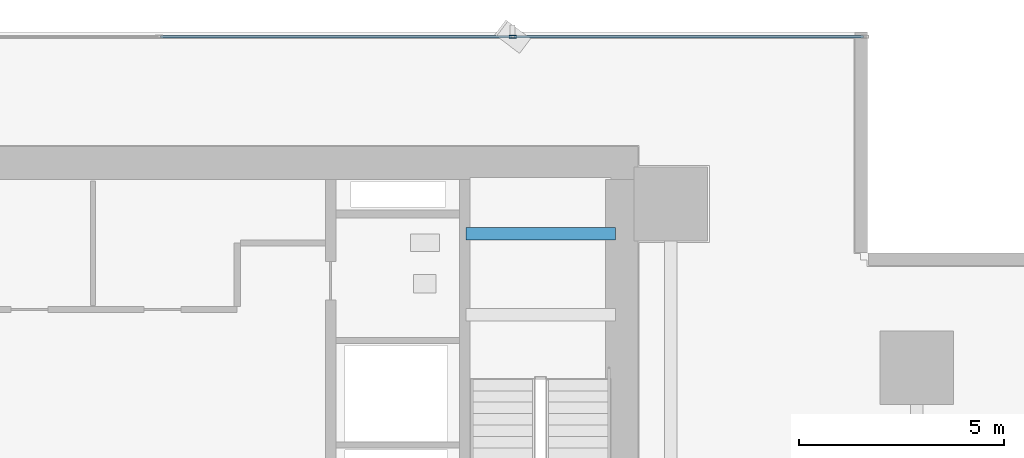
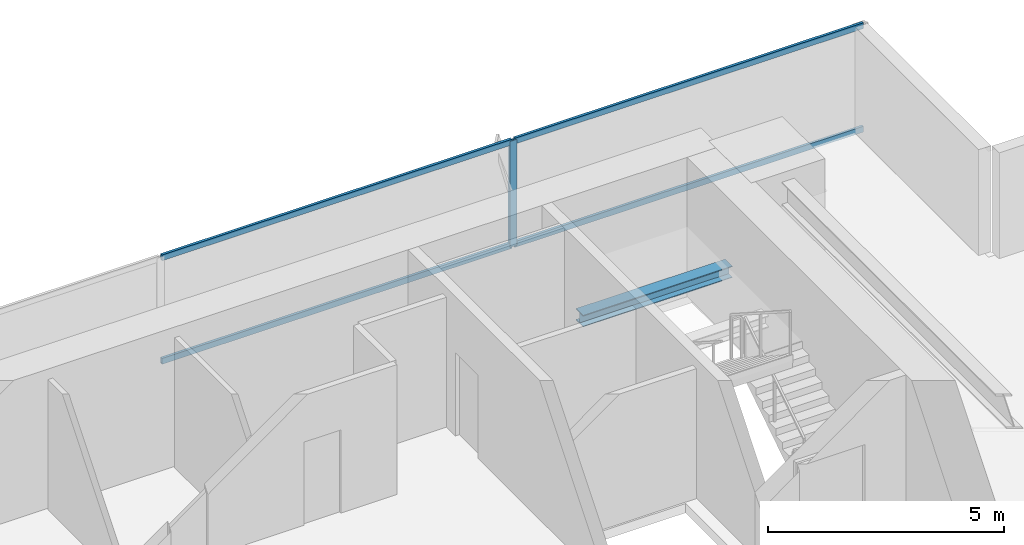
# One storey, part 22 of 33: 5 members, 1 beam, 1 element without a shape of its own.
"""IFC4 building model written with IfcOpenShell, lengths in metres."""

from ifc_helpers import new_model, si_unit, direction, frame, origin, origin_2d, place, context, subcontext, project, spatial, hollow_rectangle, i_section, extrude, source, transform, mapped, material, layer, layer_set, material_profile, profile_set, type_object, element, aggregate, save


model = new_model("IFC4")

# Units and contexts
model_context = context("Model", 3, precision=1e-05, world=origin(), true_north=direction((0.0, 1.0)))
body_context = subcontext(model_context, "Body", "Model", "MODEL_VIEW")
ifc_project = project(units=[si_unit("LENGTHUNIT", "METRE"), si_unit("AREAUNIT", "SQUARE_METRE"), si_unit("VOLUMEUNIT", "CUBIC_METRE"), si_unit("PLANEANGLEUNIT", "RADIAN"), si_unit("MASSUNIT", "GRAM", prefix="KILO")], contexts=[model_context])

# Site, building, storey
site_placement = place(None, origin())
site = spatial("IfcSite", under=ifc_project, at=site_placement, CompositionType="ELEMENT")
building_placement = place(site_placement, origin())
building = spatial("IfcBuilding", under=site, at=building_placement, Name="Sumidabori Civic Tower", CompositionType="ELEMENT")
storey_placement = place(building_placement, frame((0.0, 0.0, 59.60009765625)))
storey = spatial("IfcBuildingStorey", under=building, at=storey_placement, Name="L15", CompositionType="ELEMENT", Elevation=59.60009765625)

# Beam
ifc_material_1 = material(Name="Steel SN490", Category="steel")
ifc_material_profile_1 = material_profile(ifc_material_1, i_section(OverallWidth=0.300048828125, OverallDepth=0.300048828125, WebThickness=0.010986328125, FlangeThickness=0.01904296875, at=origin_2d()), Name="HE 300 B")
ifc_profile_set_1 = profile_set([ifc_material_profile_1], Name="Steel SN490")
beam_type = type_object("IfcBeamType", Name="BM-LDG-300", PredefinedType="BEAM", material=ifc_profile_set_1)
shared_shape_1 = source(origin(), body_context, "Body", "SweptSolid", [
    extrude(i_section(OverallWidth=0.300048828125, OverallDepth=0.300048828125, WebThickness=0.010986328125, FlangeThickness=0.01904296875, at=origin_2d()), origin(), (0.0, 0.0, 1.0), 3.64990234375),
])
beam_placement = place(storey_placement, frame((11.800048828125, 22.069580078125, 1.449951171875), z_axis=(1.0, 0.0, 0.0), x_axis=(0.0, 1.0, 0.0)))
element("IfcBeam", 1, at=beam_placement, inside=storey, type_object=beam_type, Name="Stair ST-2 Landing Trimmer Beam L15-1B", PredefinedType="BEAM", context=body_context, shape_type="MappedRepresentation", body=[
    mapped(shared_shape_1, transform((0.0, 0.0, 0.0), x_axis=(1.0, 0.0, 0.0), y_axis=(0.0, 1.0, 0.0), z_axis=(0.0, 0.0, 1.0), scale=1.0)),
])

# Curtain wall, members
ifc_material_2 = material(Name="Anodised Bronze Aluminium AW-6063-T6", Category="aluminium")
ifc_layer = layer(ifc_material_2, 0.179931640625, Name="Anodised Bronze Aluminium AW-6063-T6")
ifc_layer_set = layer_set([ifc_layer], Name="Anodised Bronze Aluminium AW-6063-T6")
curtain_wall_type = type_object("IfcCurtainWallType", Name="CW-SYS-2", PredefinedType="NOTDEFINED", material=ifc_layer_set)
curtain_wall_placement = place(storey_placement, origin())
curtain_wall = element("IfcCurtainWall", 2, at=curtain_wall_placement, inside=storey, type_object=curtain_wall_type, Name="Curtain Wall CW:L15:R07", PredefinedType="NOTDEFINED")
ifc_material_profile_2 = material_profile(ifc_material_2, hollow_rectangle(XDim=0.070068359375, YDim=0.179931640625, WallThickness=0.006103515625, at=origin_2d()), Name="ALU MULLION 180x70")
ifc_profile_set_2 = profile_set([ifc_material_profile_2], Name="Anodised Bronze Aluminium AW-6063-T6")
member_type_1 = type_object("IfcMemberType", Name="CW-MUL-180", PredefinedType="MULLION", material=ifc_profile_set_2)
shared_shape_2 = source(origin(), body_context, "Body", "SweptSolid", [
    extrude(hollow_rectangle(XDim=0.070068359375, YDim=0.179931640625, WallThickness=0.006103515625, at=origin_2d()), origin(), (0.0, 0.0, 1.0), 2.739990234375),
])
member_1_placement = place(storey_placement, frame((12.94189453125, 26.8798828125, 0.0), z_axis=(0.0, 0.0, 1.0), x_axis=(0.0, -1.0, 0.0)))
member_1 = element("IfcMember", 3, at=member_1_placement, type_object=member_type_1, Name="CW-2 mullion 2", PredefinedType="MULLION", context=body_context, shape_type="MappedRepresentation", body=[
    mapped(shared_shape_2, transform((0.0, 0.0, 0.0), x_axis=(1.0, 0.0, 0.0), y_axis=(0.0, 1.0, 0.0), z_axis=(0.0, 0.0, 1.0), scale=1.0)),
])
ifc_material_profile_3 = material_profile(ifc_material_2, hollow_rectangle(XDim=0.06494140625, YDim=0.14990234375, WallThickness=0.0048828125, at=origin_2d()), Name="ALU TRANSOM 150x65")
ifc_profile_set_3 = profile_set([ifc_material_profile_3], Name="Anodised Bronze Aluminium AW-6063-T6")
member_type_2 = type_object("IfcMemberType", Name="CW-TRN-150", PredefinedType="USERDEFINED", material=ifc_profile_set_3)
shared_shape_3 = source(origin(), body_context, "Body", "SweptSolid", [
    extrude(hollow_rectangle(XDim=0.06494140625, YDim=0.14990234375, WallThickness=0.0048828125, at=origin_2d()), origin(), (0.0, 0.0, 1.0), 8.52294921875),
])
member_2_placement = place(storey_placement, frame((21.5, 26.8798828125, 0.032470703125), z_axis=(-1.0, 0.0, 0.0), x_axis=(0.0, -1.0, 0.0)))
member_2 = element("IfcMember", 4, at=member_2_placement, type_object=member_type_2, Name="CW-2 transom 1.1", ObjectType="TRANSOM", PredefinedType="USERDEFINED", context=body_context, shape_type="MappedRepresentation", body=[
    mapped(shared_shape_3, transform((0.0, 0.0, 0.0), x_axis=(1.0, 0.0, 0.0), y_axis=(0.0, 1.0, 0.0), z_axis=(0.0, 0.0, 1.0), scale=1.0)),
])
member_3_placement = place(storey_placement, frame((21.5, 26.8798828125, 2.70751953125), z_axis=(-1.0, 0.0, 0.0), x_axis=(0.0, -1.0, 0.0)))
member_3 = element("IfcMember", 5, at=member_3_placement, type_object=member_type_2, Name="CW-2 transom 1.2", ObjectType="TRANSOM", PredefinedType="USERDEFINED", context=body_context, shape_type="MappedRepresentation", body=[
    mapped(shared_shape_3, transform((0.0, 0.0, 0.0), x_axis=(1.0, 0.0, 0.0), y_axis=(0.0, 1.0, 0.0), z_axis=(0.0, 0.0, 1.0), scale=1.0)),
])
shared_shape_4 = source(origin(), body_context, "Body", "SweptSolid", [
    extrude(hollow_rectangle(XDim=0.06494140625, YDim=0.14990234375, WallThickness=0.0048828125, at=origin_2d()), origin(), (0.0, 0.0, 1.0), 8.557861328125),
])
member_4_placement = place(storey_placement, frame((12.906982421875, 26.8798828125, 0.032470703125), z_axis=(-1.0, 0.0, 0.0), x_axis=(0.0, -1.0, 0.0)))
member_4 = element("IfcMember", 6, at=member_4_placement, type_object=member_type_2, Name="CW-2 transom 2.1", ObjectType="TRANSOM", PredefinedType="USERDEFINED", context=body_context, shape_type="MappedRepresentation", body=[
    mapped(shared_shape_4, transform((0.0, 0.0, 0.0), x_axis=(1.0, 0.0, 0.0), y_axis=(0.0, 1.0, 0.0), z_axis=(0.0, 0.0, 1.0), scale=1.0)),
])
member_5_placement = place(storey_placement, frame((12.906982421875, 26.8798828125, 2.70751953125), z_axis=(-1.0, 0.0, 0.0), x_axis=(0.0, -1.0, 0.0)))
member_5 = element("IfcMember", 7, at=member_5_placement, type_object=member_type_2, Name="CW-2 transom 2.2", ObjectType="TRANSOM", PredefinedType="USERDEFINED", context=body_context, shape_type="MappedRepresentation", body=[
    mapped(shared_shape_4, transform((0.0, 0.0, 0.0), x_axis=(1.0, 0.0, 0.0), y_axis=(0.0, 1.0, 0.0), z_axis=(0.0, 0.0, 1.0), scale=1.0)),
])
aggregate(curtain_wall, [member_1, member_2, member_3, member_4, member_5])

save(model, "model.ifc")
